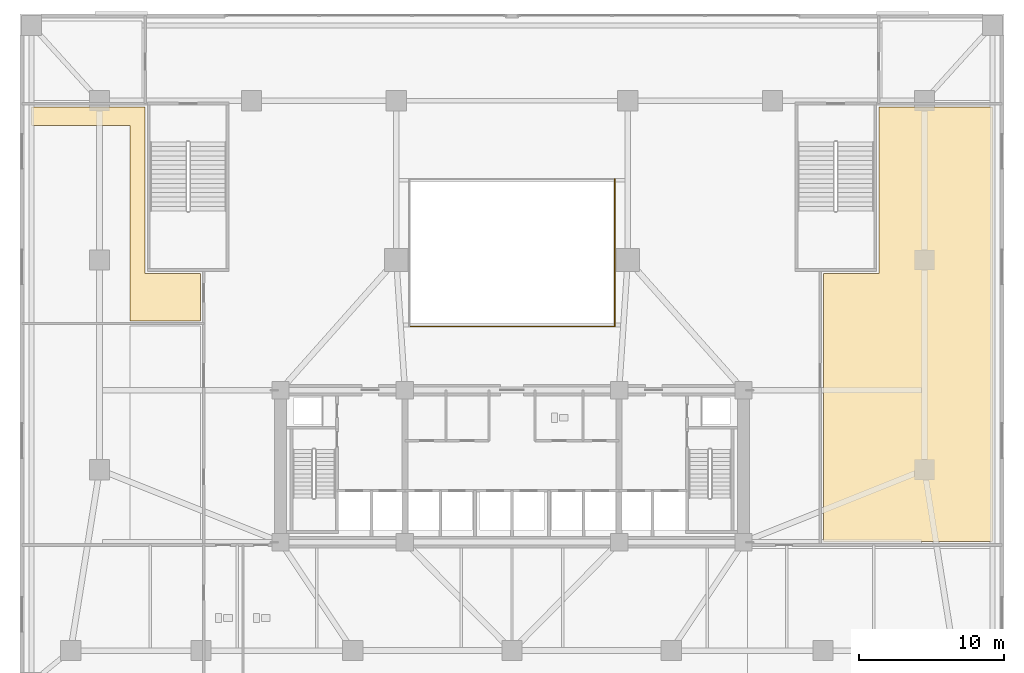
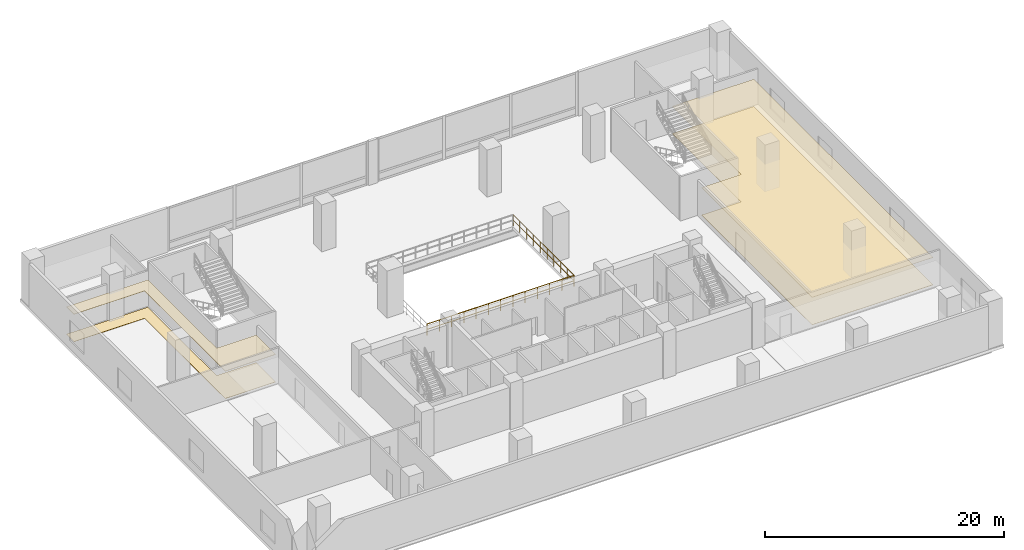
# One storey, part 12 of 15: 4 coverings, 2 railings.
"""IFC4 building model written with IfcOpenShell, lengths in metres."""

from ifc_helpers import new_model, si_unit, direction, frame, origin, origin_2d, place, context, subcontext, project, spatial, polyline, circle, outline, extrude, material, layer, layer_set, type_object, element, save


model = new_model("IFC4")

# Units and contexts
model_context = context("Model", 3, precision=1e-05, world=origin(), true_north=direction((0.0, 1.0)))
body_context = subcontext(model_context, "Body", "Model", "MODEL_VIEW")
ifc_project = project(units=[si_unit("LENGTHUNIT", "METRE"), si_unit("AREAUNIT", "SQUARE_METRE"), si_unit("VOLUMEUNIT", "CUBIC_METRE"), si_unit("PLANEANGLEUNIT", "RADIAN"), si_unit("MASSUNIT", "GRAM", prefix="KILO")], contexts=[model_context])

# Site, building, storey
site_placement = place(None, origin())
site = spatial("IfcSite", under=ifc_project, at=site_placement, CompositionType="ELEMENT")
building_placement = place(site_placement, origin())
building = spatial("IfcBuilding", under=site, at=building_placement, Name="Solmavex Isthmus Hotel", CompositionType="ELEMENT")
storey_placement = place(building_placement, frame((0.0, 0.0, 11.39990234375)))
storey = spatial("IfcBuildingStorey", under=building, at=storey_placement, Name="L03", CompositionType="ELEMENT", Elevation=11.39990234375)

# Coverings
ifc_material_1 = material(Name="Gypsum plasterboard lining", Category="gypsum")
ifc_layer_1 = layer(ifc_material_1, 0.030029296875)
ifc_layer_set_1 = layer_set([ifc_layer_1], Name="Gypsum plasterboard lining")
covering_type_1 = type_object("IfcCoveringType", Name="COV-CEIL-GYP", PredefinedType="CEILING", material=ifc_layer_set_1)
covering_1_placement = place(storey_placement, frame((0.0, 0.0, 2.800048828125)))
element("IfcCovering", 1, at=covering_1_placement, inside=storey, type_object=covering_type_1, Name="Suspended Acoustic Ceiling L03-JBR", PredefinedType="CEILING", context=body_context, shape_type="SweptSolid", body=[
    extrude(outline(polyline([(25.35009765625, 17.070068359375), (25.35009765625, 5.550048828125), (21.530029296875, 5.550048828125), (21.530029296875, -12.969970703125), (33.219970703125, -12.969970703125), (33.219970703125, 17.070068359375), (25.35009765625, 17.070068359375)])), origin(), (0.0, 0.0, 1.0), 0.030029296875),
])
covering_2_placement = place(storey_placement, frame((0.0, 0.0, 2.800048828125)))
element("IfcCovering", 2, at=covering_2_placement, inside=storey, type_object=covering_type_1, Name="Suspended Acoustic Ceiling L03-MT02", PredefinedType="CEILING", context=body_context, shape_type="SweptSolid", body=[
    extrude(outline(polyline([(-21.530029296875, 5.550048828125), (-25.35009765625, 5.550048828125), (-25.35009765625, 17.070068359375), (-33.219970703125, 17.070068359375), (-33.219970703125, 15.800048828125), (-26.39990234375, 15.800048828125), (-26.39990234375, 2.280029296875), (-21.530029296875, 2.280029296875), (-21.530029296875, 5.550048828125)])), origin(), (0.0, 0.0, 1.0), 0.030029296875),
])
ifc_material_2 = material(Name="Travertine natural stone", Category="masonry")
ifc_layer_2 = layer(ifc_material_2, 0.02490234375)
ifc_layer_set_2 = layer_set([ifc_layer_2], Name="Travertine natural stone")
covering_type_2 = type_object("IfcCoveringType", Name="COV-FLOR-STN", PredefinedType="FLOORING", material=ifc_layer_set_2)
covering_3_placement = place(storey_placement, origin())
element("IfcCovering", 3, at=covering_3_placement, inside=storey, type_object=covering_type_2, Name="Stone and Timber Floor Finish L03-JBR", PredefinedType="FLOORING", context=body_context, shape_type="SweptSolid", body=[
    extrude(outline(polyline([(25.35009765625, 17.070068359375), (25.35009765625, 5.550048828125), (21.530029296875, 5.550048828125), (21.530029296875, -12.969970703125), (33.219970703125, -12.969970703125), (33.219970703125, 17.070068359375), (25.35009765625, 17.070068359375)])), origin(), (0.0, 0.0, 1.0), 0.025146484375),
])
covering_4_placement = place(storey_placement, origin())
element("IfcCovering", 4, at=covering_4_placement, inside=storey, type_object=covering_type_2, Name="Stone and Timber Floor Finish L03-MT02", PredefinedType="FLOORING", context=body_context, shape_type="SweptSolid", body=[
    extrude(outline(polyline([(-21.530029296875, 5.550048828125), (-25.35009765625, 5.550048828125), (-25.35009765625, 17.070068359375), (-33.219970703125, 17.070068359375), (-33.219970703125, 15.800048828125), (-26.39990234375, 15.800048828125), (-26.39990234375, 2.280029296875), (-21.530029296875, 2.280029296875), (-21.530029296875, 5.550048828125)])), origin(), (0.0, 0.0, 1.0), 0.025146484375),
])

# Railings
ifc_material_3 = material(Name="Clear low-E laminated glass", Category="glass")
ifc_layer_3 = layer(ifc_material_3, 0.080078125)
ifc_layer_set_3 = layer_set([ifc_layer_3], Name="Clear low-E laminated glass")
railing_type = type_object("IfcRailingType", Name="RAIL-ATRIUM-1120", PredefinedType="BALUSTRADE", material=ifc_layer_set_3)
railing_1_placement = place(storey_placement, frame((-7.10009765625, 1.89990234375, 0.0)))
element("IfcRailing", 5, at=railing_1_placement, inside=storey, type_object=railing_type, Name="Guardrail Balustrade L03-ATRIUM-01", PredefinedType="BALUSTRADE", context=body_context, shape_type="SweptSolid", body=[
    extrude(circle(Radius=0.02392578125, at=origin_2d()), frame((0.0, 0.0, 1.1259765625), z_axis=(1.0, 0.0, 0.0), x_axis=(0.0, 1.0, 0.0)), (0.0, 0.0, 1.0), 14.2001953125),
    extrude(circle(Radius=0.02392578125, at=origin_2d()), frame((0.0, 0.0, 0.574951171875), z_axis=(1.0, 0.0, 0.0), x_axis=(0.0, 1.0, 0.0)), (0.0, 0.0, 1.0), 14.2001953125),
    extrude(circle(Radius=0.02099609375, at=origin_2d()), origin(), (0.0, 0.0, 1.0), 1.101806640625),
    extrude(circle(Radius=0.02099609375, at=origin_2d()), frame((1.183349609375, 0.0, 0.0)), (0.0, 0.0, 1.0), 1.101806640625),
    extrude(circle(Radius=0.02099609375, at=origin_2d()), frame((2.36669921875, 0.0, 0.0)), (0.0, 0.0, 1.0), 1.101806640625),
    extrude(circle(Radius=0.02099609375, at=origin_2d()), frame((3.550048828125, 0.0, 0.0)), (0.0, 0.0, 1.0), 1.101806640625),
    extrude(circle(Radius=0.02099609375, at=origin_2d()), frame((4.7333984375, 0.0, 0.0)), (0.0, 0.0, 1.0), 1.101806640625),
    extrude(circle(Radius=0.02099609375, at=origin_2d()), frame((5.916748046875, 0.0, 0.0)), (0.0, 0.0, 1.0), 1.101806640625),
    extrude(circle(Radius=0.02099609375, at=origin_2d()), frame((7.10009765625, 0.0, 0.0)), (0.0, 0.0, 1.0), 1.101806640625),
    extrude(circle(Radius=0.02099609375, at=origin_2d()), frame((8.283447265625, 0.0, 0.0)), (0.0, 0.0, 1.0), 1.101806640625),
    extrude(circle(Radius=0.02099609375, at=origin_2d()), frame((9.466796875, 0.0, 0.0)), (0.0, 0.0, 1.0), 1.101806640625),
    extrude(circle(Radius=0.02099609375, at=origin_2d()), frame((10.650146484375, 0.0, 0.0)), (0.0, 0.0, 1.0), 1.101806640625),
    extrude(circle(Radius=0.02099609375, at=origin_2d()), frame((11.83349609375, 0.0, 0.0)), (0.0, 0.0, 1.0), 1.101806640625),
    extrude(circle(Radius=0.02099609375, at=origin_2d()), frame((13.016845703125, 0.0, 0.0)), (0.0, 0.0, 1.0), 1.101806640625),
    extrude(circle(Radius=0.02099609375, at=origin_2d()), frame((14.2001953125, 0.0, 0.0)), (0.0, 0.0, 1.0), 1.101806640625),
])
railing_2_placement = place(storey_placement, frame((7.10009765625, 1.89990234375, 0.0)))
element("IfcRailing", 6, at=railing_2_placement, inside=storey, type_object=railing_type, Name="Guardrail Balustrade L03-ATRIUM-02", PredefinedType="BALUSTRADE", context=body_context, shape_type="SweptSolid", body=[
    extrude(circle(Radius=0.02392578125, at=origin_2d()), frame((0.0, 0.0, 1.1259765625), z_axis=(0.0, 1.0, 0.0), x_axis=(-1.0, 0.0, 0.0)), (0.0, 0.0, 1.0), 10.2001953125),
    extrude(circle(Radius=0.02392578125, at=origin_2d()), frame((0.0, 0.0, 0.574951171875), z_axis=(0.0, 1.0, 0.0), x_axis=(-1.0, 0.0, 0.0)), (0.0, 0.0, 1.0), 10.2001953125),
    extrude(circle(Radius=0.02099609375, at=origin_2d()), origin(), (0.0, 0.0, 1.0), 1.101806640625),
    extrude(circle(Radius=0.02099609375, at=origin_2d()), frame((0.0, 1.13330078125, 0.0)), (0.0, 0.0, 1.0), 1.101806640625),
    extrude(circle(Radius=0.02099609375, at=origin_2d()), frame((0.0, 2.2666015625, 0.0)), (0.0, 0.0, 1.0), 1.101806640625),
    extrude(circle(Radius=0.02099609375, at=origin_2d()), frame((0.0, 3.400146484375, 0.0)), (0.0, 0.0, 1.0), 1.101806640625),
    extrude(circle(Radius=0.02099609375, at=origin_2d()), frame((0.0, 4.533447265625, 0.0)), (0.0, 0.0, 1.0), 1.101806640625),
    extrude(circle(Radius=0.02099609375, at=origin_2d()), frame((0.0, 5.666748046875, 0.0)), (0.0, 0.0, 1.0), 1.101806640625),
    extrude(circle(Radius=0.02099609375, at=origin_2d()), frame((0.0, 6.800048828125, 0.0)), (0.0, 0.0, 1.0), 1.101806640625),
    extrude(circle(Radius=0.02099609375, at=origin_2d()), frame((0.0, 7.93359375, 0.0)), (0.0, 0.0, 1.0), 1.101806640625),
    extrude(circle(Radius=0.02099609375, at=origin_2d()), frame((0.0, 9.06689453125, 0.0)), (0.0, 0.0, 1.0), 1.101806640625),
    extrude(circle(Radius=0.02099609375, at=origin_2d()), frame((0.0, 10.2001953125, 0.0)), (0.0, 0.0, 1.0), 1.101806640625),
])

save(model, "model.ifc")
